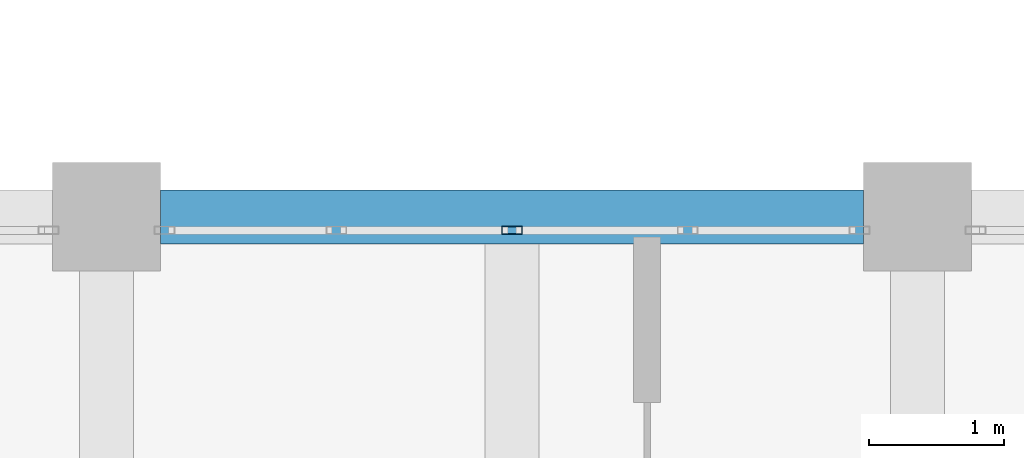
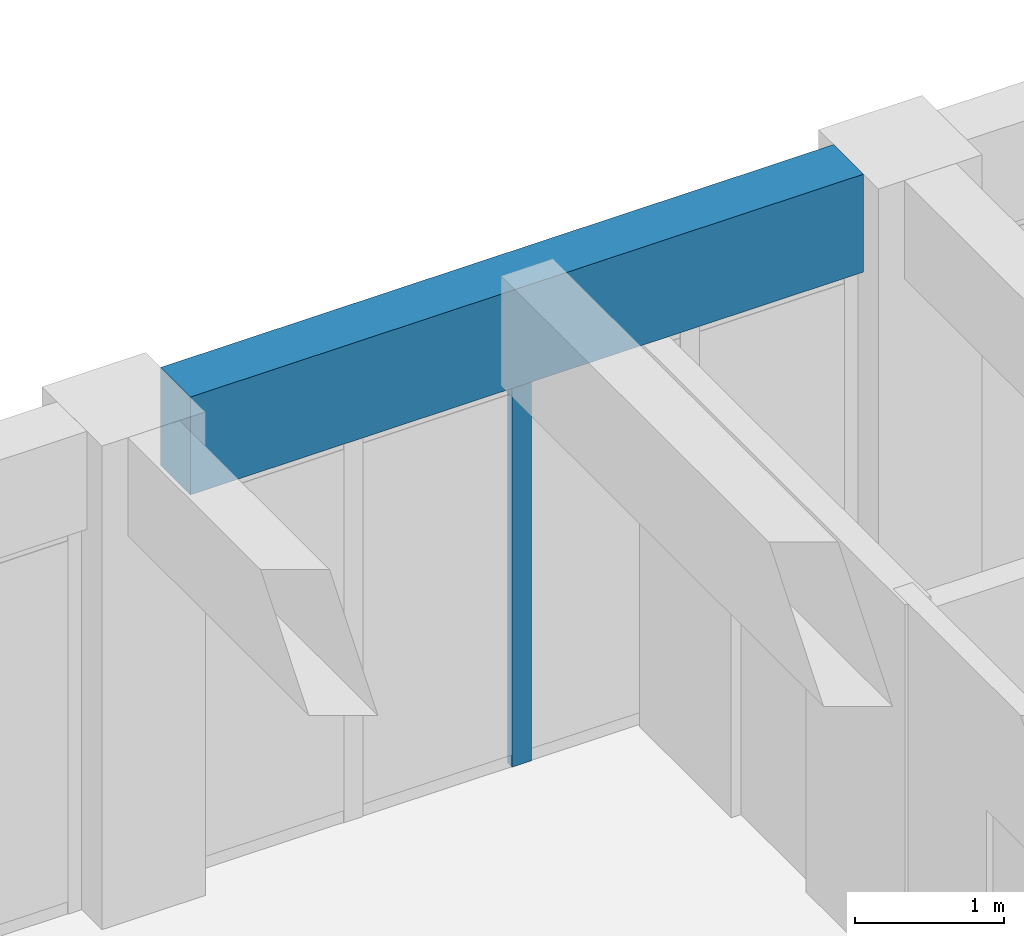
# One storey, part 19 of 92: 1 beam, 1 member, 1 element without a shape of its own.
"""IFC4 building model written with IfcOpenShell, lengths in metres."""

from ifc_helpers import new_model, si_unit, direction, frame, origin, origin_2d, place, context, subcontext, project, spatial, rectangle, hollow_rectangle, extrude, material, material_profile, profile_set, type_object, element, aggregate, save


model = new_model("IFC4")

# Units and contexts
model_context = context("Model", 3, precision=1e-05, world=origin(), true_north=direction((0.0, 1.0)))
body_context = subcontext(model_context, "Body", "Model", "MODEL_VIEW")
ifc_project = project(units=[si_unit("LENGTHUNIT", "METRE"), si_unit("AREAUNIT", "SQUARE_METRE"), si_unit("VOLUMEUNIT", "CUBIC_METRE"), si_unit("PLANEANGLEUNIT", "RADIAN"), si_unit("MASSUNIT", "GRAM", prefix="KILO")], contexts=[model_context])

# Site, building, storey
site_placement = place(None, origin())
site = spatial("IfcSite", under=ifc_project, at=site_placement, CompositionType="ELEMENT")
building_placement = place(site_placement, origin())
building = spatial("IfcBuilding", under=site, at=building_placement, Name="Laocheng Heights Fire and Rescue Headquarters", CompositionType="ELEMENT")
storey_placement = place(building_placement, frame((0.0, 0.0, 12.60009765625)))
storey = spatial("IfcBuildingStorey", under=building, at=storey_placement, Name="L03", CompositionType="ELEMENT", Elevation=12.60009765625)

# Curtain wall, member
ifc_material_1 = material(Name="Aluminium unitised curtain wall, low-e double glazing", Category="aluminium")
curtain_wall_type = type_object("IfcCurtainWallType", Name="CW 5200 x 3150 GALLERY UNIT", PredefinedType="NOTDEFINED", material=ifc_material_1)
curtain_wall_placement = place(storey_placement, origin())
curtain_wall = element("IfcCurtainWall", 1, at=curtain_wall_placement, inside=storey, type_object=curtain_wall_type, Name="Gallery north glazing L03", PredefinedType="NOTDEFINED")
ifc_material_2 = material(Name="Aluminium 6063-T5 extrusion", Category="aluminium")
ifc_material_profile_1 = material_profile(ifc_material_2, hollow_rectangle(XDim=0.06005859375, YDim=0.14990234375, WallThickness=0.0029296875, at=origin_2d()), Name="AL MULLION 150x60x3")
ifc_profile_set_1 = profile_set([ifc_material_profile_1], Name="Aluminium 6063-T5 extrusion")
member_type = type_object("IfcMemberType", Name="AL CURTAIN WALL MULLION 150x60x3", PredefinedType="MULLION", material=ifc_profile_set_1)
member_placement = place(storey_placement, frame((63.0, 28.699951171875, 0.0), z_axis=(0.0, 0.0, 1.0), x_axis=(0.0, 1.0, 0.0)))
member = element("IfcMember", 2, at=member_placement, type_object=member_type, Name="X6-E mullion 3", PredefinedType="MULLION", context=body_context, shape_type="SweptSolid", body=[
    extrude(hollow_rectangle(XDim=0.06005859375, YDim=0.14990234375, WallThickness=0.0029296875, at=origin_2d()), origin(), (0.0, 0.0, 1.0), 3.14990234375),
])
aggregate(curtain_wall, [member])

# Beam
ifc_material_3 = material(Name="Concrete C40", Category="concrete")
ifc_material_profile_2 = material_profile(ifc_material_3, rectangle(XDim=0.39990234375, YDim=0.800048828125, at=origin_2d()), Name="RC BEAM 400x800 GALLERY FLOOR")
ifc_profile_set_2 = profile_set([ifc_material_profile_2], Name="Concrete C40")
beam_type = type_object("IfcBeamType", Name="RC BEAM 400x800 GALLERY FLOOR", PredefinedType="BEAM", material=ifc_profile_set_2)
beam_placement = place(storey_placement, frame((60.39990234375, 28.800048828125, 3.5498046875), z_axis=(1.0, 0.0, 0.0), x_axis=(0.0, 1.0, 0.0)))
element("IfcBeam", 3, at=beam_placement, inside=storey, type_object=beam_type, Name="Gallery roof beam", PredefinedType="BEAM", context=body_context, shape_type="SweptSolid", body=[
    extrude(rectangle(XDim=0.39990234375, YDim=0.800048828125, at=origin_2d()), origin(), (0.0, 0.0, 1.0), 5.2001953125),
])

save(model, "model.ifc")
